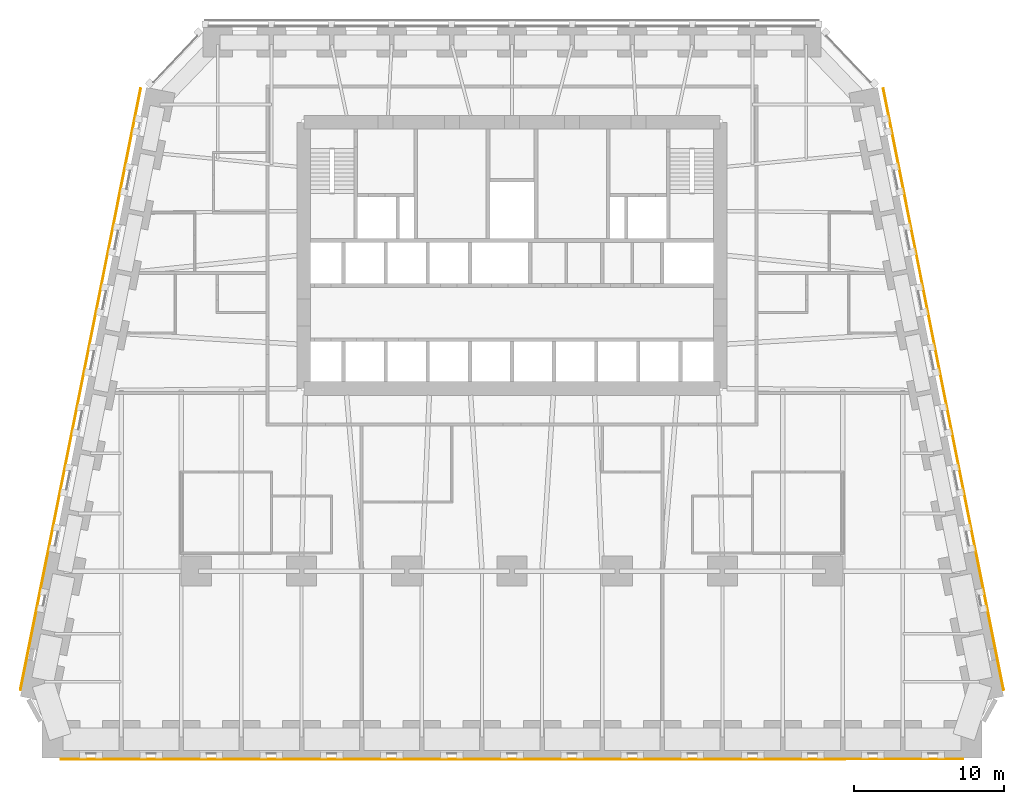
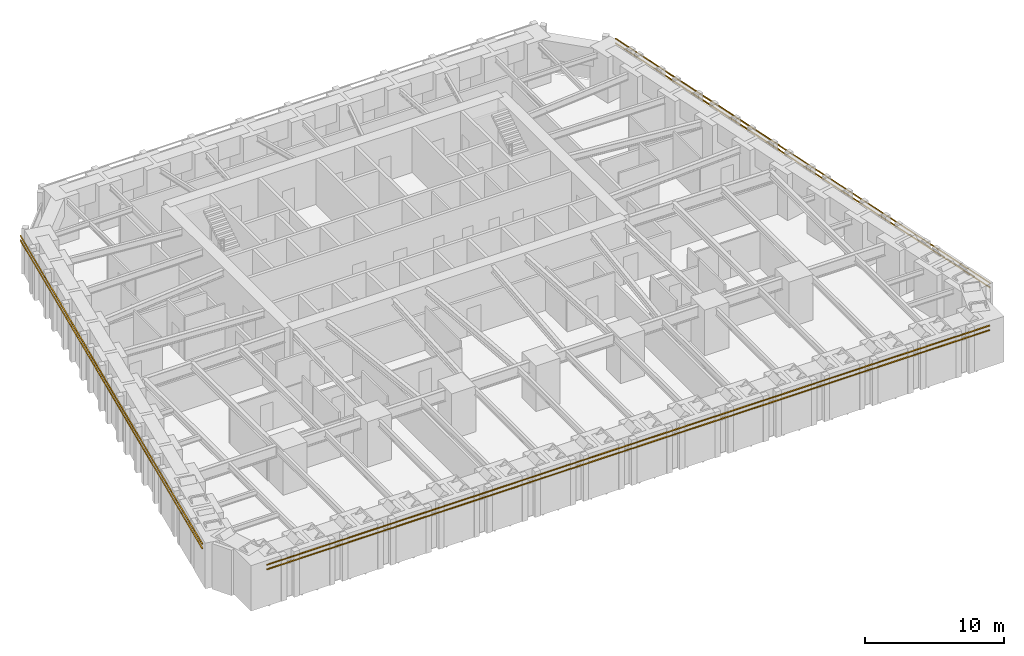
# One storey, part 15 of 16: 6 shading devices.
"""IFC4 building model written with IfcOpenShell, lengths in metres."""

from ifc_helpers import new_model, si_unit, direction, frame, origin, origin_2d, place, context, subcontext, project, spatial, rectangle, extrude, material, material_profile, profile_set, type_object, element, save


model = new_model("IFC4")

# Units and contexts
model_context = context("Model", 3, precision=1e-05, world=origin(), true_north=direction((0.0, 1.0)))
body_context = subcontext(model_context, "Body", "Model", "MODEL_VIEW")
ifc_project = project(units=[si_unit("LENGTHUNIT", "METRE"), si_unit("AREAUNIT", "SQUARE_METRE"), si_unit("VOLUMEUNIT", "CUBIC_METRE"), si_unit("PLANEANGLEUNIT", "RADIAN"), si_unit("MASSUNIT", "GRAM", prefix="KILO")], contexts=[model_context])

# Site, building, storey
site_placement = place(None, origin())
site = spatial("IfcSite", under=ifc_project, at=site_placement, CompositionType="ELEMENT")
building_placement = place(site_placement, origin())
building = spatial("IfcBuilding", under=site, at=building_placement, Name="Isbrekke Arena Tower", CompositionType="ELEMENT")
storey_placement = place(building_placement, frame((0.0, 0.0, 36.0)))
storey = spatial("IfcBuildingStorey", under=building, at=storey_placement, Name="L06", CompositionType="ELEMENT", Elevation=36.0)

# Shading devices
ifc_material = material(Name="Terracotta", Category="masonry")
ifc_material_profile = material_profile(ifc_material, rectangle(XDim=0.06005859375, YDim=0.06005859375, at=origin_2d()), Name="BAGUETTE 60X60")
ifc_profile_set = profile_set([ifc_material_profile], Name="Terracotta")
shading_device_type = type_object("IfcShadingDeviceType", Name="BG1 TERRACOTTA BAGUETTE 60 x 60", PredefinedType="USERDEFINED", material=ifc_profile_set)
for number, where, z_axis, x_axis, name in (
    (1, (-30.0, -18.5048828125, 3.280029296875), (1.0, 0.0, 0.0), (0.0, 1.0, 0.0), "BG1 terracotta baguette S1 L06"),
    (2, (-30.0, -18.5048828125, 3.679931640625), (1.0, 0.0, 0.0), (0.0, 1.0, 0.0), "BG1 terracotta baguette S2 L06"),
):
    element("IfcShadingDevice", number, at=place(storey_placement, frame(where, z_axis=z_axis, x_axis=x_axis)), inside=storey, type_object=shading_device_type, Name=name, ObjectType="TERRACOTTA BAGUETTE", PredefinedType="USERDEFINED", context=body_context, shape_type="SweptSolid", body=[
        extrude(rectangle(XDim=0.06005859375, YDim=0.06005859375, at=origin_2d()), origin(), (0.0, 0.0, 1.0), 60.0),
    ])
for number, where, z_axis, x_axis, name in (
    (3, (32.6953125, -13.90087890625, 3.280029296875), (-0.196116135138, 0.980580675691, 0.0), (-0.980580675691, -0.196116135138, 0.0), "BG1 terracotta baguette E1 L06"),
    (4, (32.6953125, -13.90087890625, 3.679931640625), (-0.196116135138, 0.980580675691, 0.0), (-0.980580675691, -0.196116135138, 0.0), "BG1 terracotta baguette E2 L06"),
    (5, (-24.6953125, 26.09912109375, 3.280029296875), (-0.196116135138, -0.980580675691, 0.0), (0.980580675691, -0.196116135138, 0.0), "BG1 terracotta baguette W1 L06"),
    (6, (-24.6953125, 26.09912109375, 3.679931640625), (-0.196116135138, -0.980580675691, 0.0), (0.980580675691, -0.196116135138, 0.0), "BG1 terracotta baguette W2 L06"),
):
    element("IfcShadingDevice", number, at=place(storey_placement, frame(where, z_axis=z_axis, x_axis=x_axis)), inside=storey, type_object=shading_device_type, Name=name, ObjectType="TERRACOTTA BAGUETTE", PredefinedType="USERDEFINED", context=body_context, shape_type="SweptSolid", body=[
        extrude(rectangle(XDim=0.06005859375, YDim=0.06005859375, at=origin_2d()), origin(), (0.0, 0.0, 1.0), 40.792236328125),
    ])

save(model, "model.ifc")
